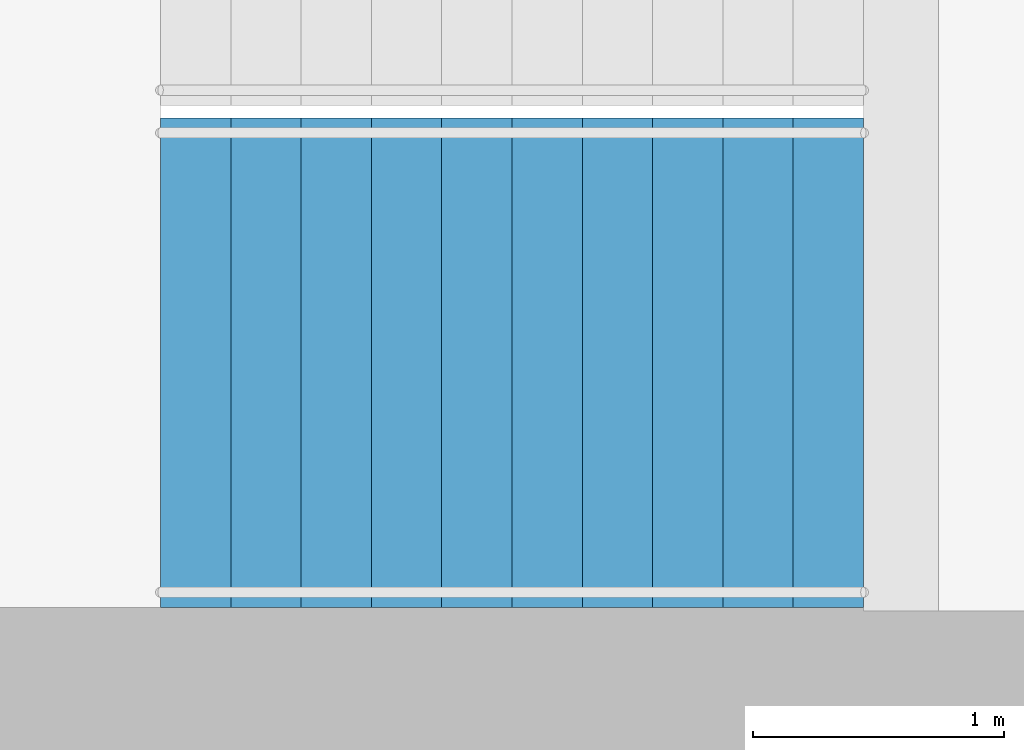
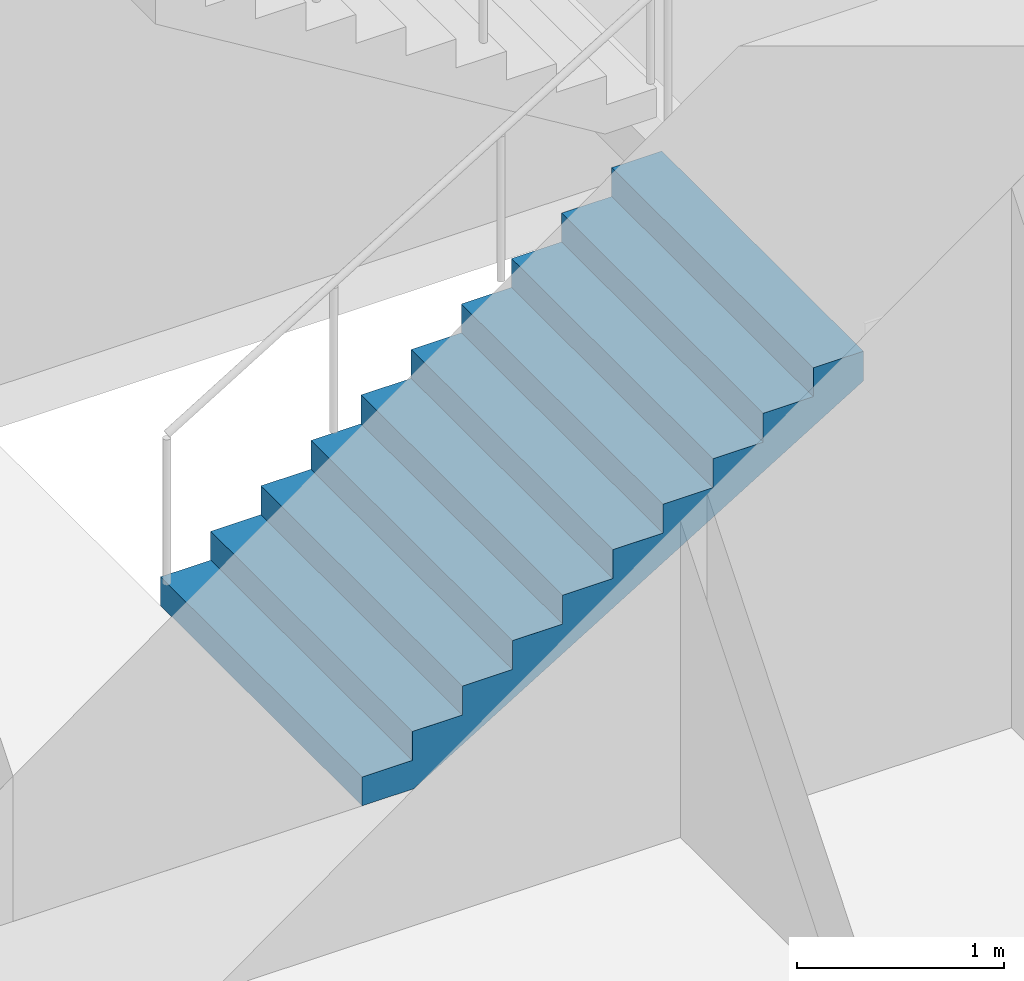
# One storey, part 20 of 24: 1 stair flight, 1 element without a shape of its own.
"""IFC4 building model written with IfcOpenShell, lengths in metres."""

from ifc_helpers import new_model, si_unit, direction, frame, origin, place, context, subcontext, project, spatial, triangles, material, type_object, element, aggregate, save


model = new_model("IFC4")

# Units and contexts
model_context = context("Model", 3, precision=1e-05, world=origin(), true_north=direction((0.0, 1.0)))
body_context = subcontext(model_context, "Body", "Model", "MODEL_VIEW")
ifc_project = project(units=[si_unit("LENGTHUNIT", "METRE"), si_unit("AREAUNIT", "SQUARE_METRE"), si_unit("VOLUMEUNIT", "CUBIC_METRE"), si_unit("PLANEANGLEUNIT", "RADIAN"), si_unit("MASSUNIT", "GRAM", prefix="KILO")], contexts=[model_context])

# Site, building, storey
site_placement = place(None, origin())
site = spatial("IfcSite", under=ifc_project, at=site_placement, CompositionType="ELEMENT")
building_placement = place(site_placement, origin())
building = spatial("IfcBuilding", under=site, at=building_placement, Name="Orbita Commons", CompositionType="ELEMENT")
storey_placement = place(building_placement, frame((0.0, 0.0, 27.699951171875)))
storey = spatial("IfcBuildingStorey", under=building, at=storey_placement, Name="L06", CompositionType="ELEMENT", Elevation=27.699951171875)

# Stair, stair flight
ifc_material_1 = material(Name="Precast concrete C40/50", Category="concrete")
stair_type = type_object("IfcStairType", Name="Exit stair S1 2 flights 11 risers 170", PredefinedType="HALF_TURN_STAIR", material=ifc_material_1)
stair_placement = place(storey_placement, origin())
stair = element("IfcStair", 1, at=stair_placement, inside=storey, type_object=stair_type, Name="Exit stair S1 L06", PredefinedType="HALF_TURN_STAIR")
ifc_material_2 = material(Name="Precast concrete C40/50", Category="concrete")
stair_flight_type = type_object("IfcStairFlightType", Name="Stair flight 11 risers 170 x 280", PredefinedType="STRAIGHT", material=ifc_material_2)
stair_flight_placement = place(storey_placement, frame((20.449951171875, 27.27490234375, 0.0), z_axis=(0.0, 0.0, 1.0), x_axis=(1.0, 0.0, 0.0)))
stair_flight = element("IfcStairFlight", 2, at=stair_flight_placement, type_object=stair_flight_type, Name="S1 flight 1", NumberOfRisers=11, NumberOfTreads=10, PredefinedType="STRAIGHT", RiserHeight=0.170454545, TreadLength=0.28, context=body_context, shape_type="Tessellation", body=[
    triangles([(0.0, 0.974976, 0.0), (0.0, 0.974976, 0.021307), (0.0, 0.81248, 0.021307), (0.0, 0.81248, 0.0), (0.0, 0.649984, 0.021307), (0.0, 0.649984, 0.0), (0.0, 0.487488, 0.021307), (0.0, 0.487488, 0.0), (0.0, 0.324992, 0.021307), (0.0, 0.324992, 0.0), (0.0, 0.162496, 0.021307), (0.0, 0.162496, 0.0), (0.0, 0.0, 0.021307), (0.0, 0.0, 0.0), (0.0, -0.162496, 0.021307), (0.0, -0.162496, 0.0), (0.0, -0.324992, 0.021307), (0.0, -0.324992, 0.0), (0.0, -0.487488, 0.021307), (0.0, -0.487488, 0.0), (0.0, -0.649984, 0.021307), (0.0, -0.649984, 0.0), (0.0, -0.81248, 0.021307), (0.0, -0.81248, 0.0), (0.0, -0.974976, 0.021307), (0.0, -0.974976, 0.0), (0.0, 0.974976, 0.042614), (0.0, 0.81248, 0.042614), (0.0, 0.649984, 0.042614), (0.0, 0.487488, 0.042614), (0.0, 0.324992, 0.042614), (0.0, 0.162496, 0.042614), (0.0, 0.0, 0.042614), (0.0, -0.162496, 0.042614), (0.0, -0.324992, 0.042614), (0.0, -0.487488, 0.042614), (0.0, -0.649984, 0.042614), (0.0, -0.81248, 0.042614), (0.0, -0.974976, 0.042614), (0.0, 0.974976, 0.06392), (0.0, 0.81248, 0.06392), (0.0, 0.649984, 0.06392), (0.0, 0.487488, 0.06392), (0.0, 0.324992, 0.06392), (0.0, 0.162496, 0.06392), (0.0, 0.0, 0.06392), (0.0, -0.162496, 0.06392), (0.0, -0.324992, 0.06392), (0.0, -0.487488, 0.06392), (0.0, -0.649984, 0.06392), (0.0, -0.81248, 0.06392), (0.0, -0.974976, 0.06392), (0.0, 0.974976, 0.085227), (0.0, 0.81248, 0.085227), (0.0, 0.649984, 0.085227), (0.0, 0.487488, 0.085227), (0.0, 0.324992, 0.085227), (0.0, 0.162496, 0.085227), (0.0, 0.0, 0.085227), (0.0, -0.162496, 0.085227), (0.0, -0.324992, 0.085227), (0.0, -0.487488, 0.085227), (0.0, -0.649984, 0.085227), (0.0, -0.81248, 0.085227), (0.0, -0.974976, 0.085227), (0.0, 0.974976, 0.106534), (0.0, 0.81248, 0.106534), (0.0, 0.649984, 0.106534), (0.0, 0.487488, 0.106534), (0.0, 0.324992, 0.106534), (0.0, 0.162496, 0.106534), (0.0, 0.0, 0.106534), (0.0, -0.162496, 0.106534), (0.0, -0.324992, 0.106534), (0.0, -0.487488, 0.106534), (0.0, -0.649984, 0.106534), (0.0, -0.81248, 0.106534), (0.0, -0.974976, 0.106534), (0.0, 0.974976, 0.127841), (0.0, 0.81248, 0.127841), (0.0, 0.649984, 0.127841), (0.0, 0.487488, 0.127841), (0.0, 0.324992, 0.127841), (0.0, 0.162496, 0.127841), (0.0, 0.0, 0.127841), (0.0, -0.162496, 0.127841), (0.0, -0.324992, 0.127841), (0.0, -0.487488, 0.127841), (0.0, -0.649984, 0.127841), (0.0, -0.81248, 0.127841), (0.0, -0.974976, 0.127841), (0.0, 0.974976, 0.149148), (0.0, 0.81248, 0.149148), (0.0, 0.649984, 0.149148), (0.0, 0.487488, 0.149148), (0.0, 0.324992, 0.149148), (0.0, 0.162496, 0.149148), (0.0, 0.0, 0.149148), (0.0, -0.162496, 0.149148), (0.0, -0.324992, 0.149148), (0.0, -0.487488, 0.149148), (0.0, -0.649984, 0.149148), (0.0, -0.81248, 0.149148), (0.0, -0.974976, 0.149148), (0.0, 0.974976, 0.170455), (0.0, 0.81248, 0.170455), (0.0, 0.649984, 0.170455), (0.0, 0.487488, 0.170455), (0.0, 0.324992, 0.170455), (0.0, 0.162496, 0.170455), (0.0, 0.0, 0.170455), (0.0, -0.162496, 0.170455), (0.0, -0.324992, 0.170455), (0.0, -0.487488, 0.170455), (0.0, -0.649984, 0.170455), (0.0, -0.81248, 0.170455), (0.0, -0.974976, 0.170455), (0.28, 0.974976, 0.170455), (0.28, 0.81248, 0.170455), (0.28, 0.649984, 0.170455), (0.28, 0.487488, 0.170455), (0.28, 0.324992, 0.170455), (0.28, 0.162496, 0.170455), (0.28, 0.0, 0.170455), (0.28, -0.162496, 0.170455), (0.28, -0.324992, 0.170455), (0.28, -0.487488, 0.170455), (0.28, -0.649984, 0.170455), (0.28, -0.81248, 0.170455), (0.28, -0.974976, 0.170455), (0.28, 0.974976, 0.340909), (0.28, 0.81248, 0.340909), (0.28, 0.649984, 0.340909), (0.28, 0.487488, 0.340909), (0.28, 0.324992, 0.340909), (0.28, 0.162496, 0.340909), (0.28, 0.0, 0.340909), (0.28, -0.162496, 0.340909), (0.28, -0.324992, 0.340909), (0.28, -0.487488, 0.340909), (0.28, -0.649984, 0.340909), (0.28, -0.81248, 0.340909), (0.28, -0.974976, 0.340909), (0.56, 0.974976, 0.340909), (0.56, 0.81248, 0.340909), (0.56, 0.649984, 0.340909), (0.56, 0.487488, 0.340909), (0.56, 0.324992, 0.340909), (0.56, 0.162496, 0.340909), (0.56, 0.0, 0.340909), (0.56, -0.162496, 0.340909), (0.56, -0.324992, 0.340909), (0.56, -0.487488, 0.340909), (0.56, -0.649984, 0.340909), (0.56, -0.81248, 0.340909), (0.56, -0.974976, 0.340909), (0.56, 0.974976, 0.511364), (0.56, 0.81248, 0.511364), (0.56, 0.649984, 0.511364), (0.56, 0.487488, 0.511364), (0.56, 0.324992, 0.511364), (0.56, 0.162496, 0.511364), (0.56, 0.0, 0.511364), (0.56, -0.162496, 0.511364), (0.56, -0.324992, 0.511364), (0.56, -0.487488, 0.511364), (0.56, -0.649984, 0.511364), (0.56, -0.81248, 0.511364), (0.56, -0.974976, 0.511364), (0.84, 0.974976, 0.511364), (0.84, 0.81248, 0.511364), (0.84, 0.649984, 0.511364), (0.84, 0.487488, 0.511364), (0.84, 0.324992, 0.511364), (0.84, 0.162496, 0.511364), (0.84, 0.0, 0.511364), (0.84, -0.162496, 0.511364), (0.84, -0.324992, 0.511364), (0.84, -0.487488, 0.511364), (0.84, -0.649984, 0.511364), (0.84, -0.81248, 0.511364), (0.84, -0.974976, 0.511364), (0.84, 0.974976, 0.681818), (0.84, 0.81248, 0.681818), (0.84, 0.649984, 0.681818), (0.84, 0.487488, 0.681818), (0.84, 0.324992, 0.681818), (0.84, 0.162496, 0.681818), (0.84, 0.0, 0.681818), (0.84, -0.162496, 0.681818), (0.84, -0.324992, 0.681818), (0.84, -0.487488, 0.681818), (0.84, -0.649984, 0.681818), (0.84, -0.81248, 0.681818), (0.84, -0.974976, 0.681818), (1.12, 0.974976, 0.681818), (1.12, 0.81248, 0.681818), (1.12, 0.649984, 0.681818), (1.12, 0.487488, 0.681818), (1.12, 0.324992, 0.681818), (1.12, 0.162496, 0.681818), (1.12, 0.0, 0.681818), (1.12, -0.162496, 0.681818), (1.12, -0.324992, 0.681818), (1.12, -0.487488, 0.681818), (1.12, -0.649984, 0.681818), (1.12, -0.81248, 0.681818), (1.12, -0.974976, 0.681818), (1.12, 0.974976, 0.852273), (1.12, 0.81248, 0.852273), (1.12, 0.649984, 0.852273), (1.12, 0.487488, 0.852273), (1.12, 0.324992, 0.852273), (1.12, 0.162496, 0.852273), (1.12, 0.0, 0.852273), (1.12, -0.162496, 0.852273), (1.12, -0.324992, 0.852273), (1.12, -0.487488, 0.852273), (1.12, -0.649984, 0.852273), (1.12, -0.81248, 0.852273), (1.12, -0.974976, 0.852273), (1.4, 0.974976, 0.852273), (1.4, 0.81248, 0.852273), (1.4, 0.649984, 0.852273), (1.4, 0.487488, 0.852273), (1.4, 0.324992, 0.852273), (1.4, 0.162496, 0.852273), (1.4, 0.0, 0.852273), (1.4, -0.162496, 0.852273), (1.4, -0.324992, 0.852273), (1.4, -0.487488, 0.852273), (1.4, -0.649984, 0.852273), (1.4, -0.81248, 0.852273), (1.4, -0.974976, 0.852273), (1.4, 0.974976, 1.022727), (1.4, 0.81248, 1.022727), (1.4, 0.649984, 1.022727), (1.4, 0.487488, 1.022727), (1.4, 0.324992, 1.022727), (1.4, 0.162496, 1.022727), (1.4, 0.0, 1.022727), (1.4, -0.162496, 1.022727), (1.4, -0.324992, 1.022727), (1.4, -0.487488, 1.022727), (1.4, -0.649984, 1.022727), (1.4, -0.81248, 1.022727), (1.4, -0.974976, 1.022727), (1.68, 0.974976, 1.022727), (1.68, 0.81248, 1.022727), (1.68, 0.649984, 1.022727), (1.68, 0.487488, 1.022727), (1.68, 0.324992, 1.022727), (1.68, 0.162496, 1.022727), (1.68, 0.0, 1.022727), (1.68, -0.162496, 1.022727), (1.68, -0.324992, 1.022727), (1.68, -0.487488, 1.022727), (1.68, -0.649984, 1.022727), (1.68, -0.81248, 1.022727), (1.68, -0.974976, 1.022727), (1.68, 0.974976, 1.193182), (1.68, 0.81248, 1.193182), (1.68, 0.649984, 1.193182), (1.68, 0.487488, 1.193182), (1.68, 0.324992, 1.193182), (1.68, 0.162496, 1.193182), (1.68, 0.0, 1.193182), (1.68, -0.162496, 1.193182), (1.68, -0.324992, 1.193182), (1.68, -0.487488, 1.193182), (1.68, -0.649984, 1.193182), (1.68, -0.81248, 1.193182), (1.68, -0.974976, 1.193182), (1.96, 0.974976, 1.193182), (1.96, 0.81248, 1.193182), (1.96, 0.649984, 1.193182), (1.96, 0.487488, 1.193182), (1.96, 0.324992, 1.193182), (1.96, 0.162496, 1.193182), (1.96, 0.0, 1.193182), (1.96, -0.162496, 1.193182), (1.96, -0.324992, 1.193182), (1.96, -0.487488, 1.193182), (1.96, -0.649984, 1.193182), (1.96, -0.81248, 1.193182), (1.96, -0.974976, 1.193182), (1.96, 0.974976, 1.363636), (1.96, 0.81248, 1.363636), (1.96, 0.649984, 1.363636), (1.96, 0.487488, 1.363636), (1.96, 0.324992, 1.363636), (1.96, 0.162496, 1.363636), (1.96, 0.0, 1.363636), (1.96, -0.162496, 1.363636), (1.96, -0.324992, 1.363636), (1.96, -0.487488, 1.363636), (1.96, -0.649984, 1.363636), (1.96, -0.81248, 1.363636), (1.96, -0.974976, 1.363636), (2.24, 0.974976, 1.363636), (2.24, 0.81248, 1.363636), (2.24, 0.649984, 1.363636), (2.24, 0.487488, 1.363636), (2.24, 0.324992, 1.363636), (2.24, 0.162496, 1.363636), (2.24, 0.0, 1.363636), (2.24, -0.162496, 1.363636), (2.24, -0.324992, 1.363636), (2.24, -0.487488, 1.363636), (2.24, -0.649984, 1.363636), (2.24, -0.81248, 1.363636), (2.24, -0.974976, 1.363636), (2.24, 0.974976, 1.534091), (2.24, 0.81248, 1.534091), (2.24, 0.649984, 1.534091), (2.24, 0.487488, 1.534091), (2.24, 0.324992, 1.534091), (2.24, 0.162496, 1.534091), (2.24, 0.0, 1.534091), (2.24, -0.162496, 1.534091), (2.24, -0.324992, 1.534091), (2.24, -0.487488, 1.534091), (2.24, -0.649984, 1.534091), (2.24, -0.81248, 1.534091), (2.24, -0.974976, 1.534091), (2.52, 0.974976, 1.534091), (2.52, 0.81248, 1.534091), (2.52, 0.649984, 1.534091), (2.52, 0.487488, 1.534091), (2.52, 0.324992, 1.534091), (2.52, 0.162496, 1.534091), (2.52, 0.0, 1.534091), (2.52, -0.162496, 1.534091), (2.52, -0.324992, 1.534091), (2.52, -0.487488, 1.534091), (2.52, -0.649984, 1.534091), (2.52, -0.81248, 1.534091), (2.52, -0.974976, 1.534091), (2.52, 0.974976, 1.704545), (2.52, 0.81248, 1.704545), (2.52, 0.649984, 1.704545), (2.52, 0.487488, 1.704545), (2.52, 0.324992, 1.704545), (2.52, 0.162496, 1.704545), (2.52, 0.0, 1.704545), (2.52, -0.162496, 1.704545), (2.52, -0.324992, 1.704545), (2.52, -0.487488, 1.704545), (2.52, -0.649984, 1.704545), (2.52, -0.81248, 1.704545), (2.52, -0.974976, 1.704545), (2.8, 0.974976, 1.704545), (2.8, 0.81248, 1.704545), (2.8, 0.649984, 1.704545), (2.8, 0.487488, 1.704545), (2.8, 0.324992, 1.704545), (2.8, 0.162496, 1.704545), (2.8, 0.0, 1.704545), (2.8, -0.162496, 1.704545), (2.8, -0.324992, 1.704545), (2.8, -0.487488, 1.704545), (2.8, -0.649984, 1.704545), (2.8, -0.81248, 1.704545), (2.8, -0.974976, 1.704545), (2.8, 0.974976, 1.682609), (2.8, 0.81248, 1.682609), (2.8, 0.649984, 1.682609), (2.8, 0.487488, 1.682609), (2.8, 0.324992, 1.682609), (2.8, 0.162496, 1.682609), (2.8, 0.0, 1.682609), (2.8, -0.162496, 1.682609), (2.8, -0.324992, 1.682609), (2.8, -0.487488, 1.682609), (2.8, -0.649984, 1.682609), (2.8, -0.81248, 1.682609), (2.8, -0.974976, 1.682609), (2.8, 0.974976, 1.660672), (2.8, 0.81248, 1.660672), (2.8, 0.649984, 1.660672), (2.8, 0.487488, 1.660672), (2.8, 0.324992, 1.660672), (2.8, 0.162496, 1.660672), (2.8, 0.0, 1.660672), (2.8, -0.162496, 1.660672), (2.8, -0.324992, 1.660672), (2.8, -0.487488, 1.660672), (2.8, -0.649984, 1.660672), (2.8, -0.81248, 1.660672), (2.8, -0.974976, 1.660672), (2.8, 0.974976, 1.638735), (2.8, 0.81248, 1.638735), (2.8, 0.649984, 1.638735), (2.8, 0.487488, 1.638735), (2.8, 0.324992, 1.638735), (2.8, 0.162496, 1.638735), (2.8, 0.0, 1.638735), (2.8, -0.162496, 1.638735), (2.8, -0.324992, 1.638735), (2.8, -0.487488, 1.638735), (2.8, -0.649984, 1.638735), (2.8, -0.81248, 1.638735), (2.8, -0.974976, 1.638735), (2.8, 0.974976, 1.616798), (2.8, 0.81248, 1.616798), (2.8, 0.649984, 1.616798), (2.8, 0.487488, 1.616798), (2.8, 0.324992, 1.616798), (2.8, 0.162496, 1.616798), (2.8, 0.0, 1.616798), (2.8, -0.162496, 1.616798), (2.8, -0.324992, 1.616798), (2.8, -0.487488, 1.616798), (2.8, -0.649984, 1.616798), (2.8, -0.81248, 1.616798), (2.8, -0.974976, 1.616798), (2.8, 0.974976, 1.594861), (2.8, 0.81248, 1.594861), (2.8, 0.649984, 1.594861), (2.8, 0.487488, 1.594861), (2.8, 0.324992, 1.594861), (2.8, 0.162496, 1.594861), (2.8, 0.0, 1.594861), (2.8, -0.162496, 1.594861), (2.8, -0.324992, 1.594861), (2.8, -0.487488, 1.594861), (2.8, -0.649984, 1.594861), (2.8, -0.81248, 1.594861), (2.8, -0.974976, 1.594861), (2.8, 0.974976, 1.572925), (2.8, 0.81248, 1.572925), (2.8, 0.649984, 1.572925), (2.8, 0.487488, 1.572925), (2.8, 0.324992, 1.572925), (2.8, 0.162496, 1.572925), (2.8, 0.0, 1.572925), (2.8, -0.162496, 1.572925), (2.8, -0.324992, 1.572925), (2.8, -0.487488, 1.572925), (2.8, -0.649984, 1.572925), (2.8, -0.81248, 1.572925), (2.8, -0.974976, 1.572925), (2.8, 0.974976, 1.550988), (2.8, 0.81248, 1.550988), (2.8, 0.649984, 1.550988), (2.8, 0.487488, 1.550988), (2.8, 0.324992, 1.550988), (2.8, 0.162496, 1.550988), (2.8, 0.0, 1.550988), (2.8, -0.162496, 1.550988), (2.8, -0.324992, 1.550988), (2.8, -0.487488, 1.550988), (2.8, -0.649984, 1.550988), (2.8, -0.81248, 1.550988), (2.8, -0.974976, 1.550988), (2.8, 0.974976, 1.529051), (2.8, 0.81248, 1.529051), (2.8, 0.649984, 1.529051), (2.8, 0.487488, 1.529051), (2.8, 0.324992, 1.529051), (2.8, 0.162496, 1.529051), (2.8, 0.0, 1.529051), (2.8, -0.162496, 1.529051), (2.8, -0.324992, 1.529051), (2.8, -0.487488, 1.529051), (2.8, -0.649984, 1.529051), (2.8, -0.81248, 1.529051), (2.8, -0.974976, 1.529051), (0.288279, 0.974976, 0.0), (0.288279, 0.81248, 0.0), (0.288279, 0.649984, 0.0), (0.288279, 0.487488, 0.0), (0.288279, 0.324992, 0.0), (0.288279, 0.162496, 0.0), (0.288279, 0.0, 0.0), (0.288279, -0.162496, 0.0), (0.288279, -0.324992, 0.0), (0.288279, -0.487488, 0.0), (0.288279, -0.649984, 0.0), (0.288279, -0.81248, 0.0), (0.288279, -0.974976, 0.0)], [[3, 2, 1], [4, 3, 1], [5, 3, 4], [6, 5, 4], [7, 5, 6], [8, 7, 6], [9, 7, 8], [10, 9, 8], [11, 9, 10], [12, 11, 10], [13, 11, 12], [14, 13, 12], [15, 13, 14], [16, 15, 14], [17, 15, 16], [18, 17, 16], [19, 17, 18], [20, 19, 18], [21, 19, 20], [22, 21, 20], [23, 21, 22], [24, 23, 22], [25, 23, 24], [26, 25, 24], [28, 27, 2], [3, 28, 2], [29, 28, 3], [5, 29, 3], [30, 29, 5], [7, 30, 5], [31, 30, 7], [9, 31, 7], [32, 31, 9], [11, 32, 9], [33, 32, 11], [13, 33, 11], [34, 33, 13], [15, 34, 13], [35, 34, 15], [17, 35, 15], [36, 35, 17], [19, 36, 17], [37, 36, 19], [21, 37, 19], [38, 37, 21], [23, 38, 21], [39, 38, 23], [25, 39, 23], [41, 40, 27], [28, 41, 27], [42, 41, 28], [29, 42, 28], [43, 42, 29], [30, 43, 29], [44, 43, 30], [31, 44, 30], [45, 44, 31], [32, 45, 31], [46, 45, 32], [33, 46, 32], [47, 46, 33], [34, 47, 33], [48, 47, 34], [35, 48, 34], [49, 48, 35], [36, 49, 35], [50, 49, 36], [37, 50, 36], [51, 50, 37], [38, 51, 37], [52, 51, 38], [39, 52, 38], [54, 53, 40], [41, 54, 40], [55, 54, 41], [42, 55, 41], [56, 55, 42], [43, 56, 42], [57, 56, 43], [44, 57, 43], [58, 57, 44], [45, 58, 44], [59, 58, 45], [46, 59, 45], [60, 59, 46], [47, 60, 46], [61, 60, 47], [48, 61, 47], [62, 61, 48], [49, 62, 48], [63, 62, 49], [50, 63, 49], [64, 63, 50], [51, 64, 50], [65, 64, 51], [52, 65, 51], [67, 66, 53], [54, 67, 53], [68, 67, 54], [55, 68, 54], [69, 68, 55], [56, 69, 55], [70, 69, 56], [57, 70, 56], [71, 70, 57], [58, 71, 57], [72, 71, 58], [59, 72, 58], [73, 72, 59], [60, 73, 59], [74, 73, 60], [61, 74, 60], [75, 74, 61], [62, 75, 61], [76, 75, 62], [63, 76, 62], [77, 76, 63], [64, 77, 63], [78, 77, 64], [65, 78, 64], [80, 79, 66], [67, 80, 66], [81, 80, 67], [68, 81, 67], [82, 81, 68], [69, 82, 68], [83, 82, 69], [70, 83, 69], [84, 83, 70], [71, 84, 70], [85, 84, 71], [72, 85, 71], [86, 85, 72], [73, 86, 72], [87, 86, 73], [74, 87, 73], [88, 87, 74], [75, 88, 74], [89, 88, 75], [76, 89, 75], [90, 89, 76], [77, 90, 76], [91, 90, 77], [78, 91, 77], [93, 92, 79], [80, 93, 79], [94, 93, 80], [81, 94, 80], [95, 94, 81], [82, 95, 81], [96, 95, 82], [83, 96, 82], [97, 96, 83], [84, 97, 83], [98, 97, 84], [85, 98, 84], [99, 98, 85], [86, 99, 85], [100, 99, 86], [87, 100, 86], [101, 100, 87], [88, 101, 87], [102, 101, 88], [89, 102, 88], [103, 102, 89], [90, 103, 89], [104, 103, 90], [91, 104, 90], [106, 105, 92], [93, 106, 92], [107, 106, 93], [94, 107, 93], [108, 107, 94], [95, 108, 94], [109, 108, 95], [96, 109, 95], [110, 109, 96], [97, 110, 96], [111, 110, 97], [98, 111, 97], [112, 111, 98], [99, 112, 98], [113, 112, 99], [100, 113, 99], [114, 113, 100], [101, 114, 100], [115, 114, 101], [102, 115, 101], [116, 115, 102], [103, 116, 102], [117, 116, 103], [104, 117, 103], [119, 118, 105], [106, 119, 105], [120, 119, 106], [107, 120, 106], [121, 120, 107], [108, 121, 107], [122, 121, 108], [109, 122, 108], [123, 122, 109], [110, 123, 109], [124, 123, 110], [111, 124, 110], [125, 124, 111], [112, 125, 111], [126, 125, 112], [113, 126, 112], [127, 126, 113], [114, 127, 113], [128, 127, 114], [115, 128, 114], [129, 128, 115], [116, 129, 115], [130, 129, 116], [117, 130, 116], [132, 131, 118], [119, 132, 118], [133, 132, 119], [120, 133, 119], [134, 133, 120], [121, 134, 120], [135, 134, 121], [122, 135, 121], [136, 135, 122], [123, 136, 122], [137, 136, 123], [124, 137, 123], [138, 137, 124], [125, 138, 124], [139, 138, 125], [126, 139, 125], [140, 139, 126], [127, 140, 126], [141, 140, 127], [128, 141, 127], [142, 141, 128], [129, 142, 128], [143, 142, 129], [130, 143, 129], [145, 144, 131], [132, 145, 131], [146, 145, 132], [133, 146, 132], [147, 146, 133], [134, 147, 133], [148, 147, 134], [135, 148, 134], [149, 148, 135], [136, 149, 135], [150, 149, 136], [137, 150, 136], [151, 150, 137], [138, 151, 137], [152, 151, 138], [139, 152, 138], [153, 152, 139], [140, 153, 139], [154, 153, 140], [141, 154, 140], [155, 154, 141], [142, 155, 141], [156, 155, 142], [143, 156, 142], [158, 157, 144], [145, 158, 144], [159, 158, 145], [146, 159, 145], [160, 159, 146], [147, 160, 146], [161, 160, 147], [148, 161, 147], [162, 161, 148], [149, 162, 148], [163, 162, 149], [150, 163, 149], [164, 163, 150], [151, 164, 150], [165, 164, 151], [152, 165, 151], [166, 165, 152], [153, 166, 152], [167, 166, 153], [154, 167, 153], [168, 167, 154], [155, 168, 154], [169, 168, 155], [156, 169, 155], [171, 170, 157], [158, 171, 157], [172, 171, 158], [159, 172, 158], [173, 172, 159], [160, 173, 159], [174, 173, 160], [161, 174, 160], [175, 174, 161], [162, 175, 161], [176, 175, 162], [163, 176, 162], [177, 176, 163], [164, 177, 163], [178, 177, 164], [165, 178, 164], [179, 178, 165], [166, 179, 165], [180, 179, 166], [167, 180, 166], [181, 180, 167], [168, 181, 167], [182, 181, 168], [169, 182, 168], [184, 183, 170], [171, 184, 170], [185, 184, 171], [172, 185, 171], [186, 185, 172], [173, 186, 172], [187, 186, 173], [174, 187, 173], [188, 187, 174], [175, 188, 174], [189, 188, 175], [176, 189, 175], [190, 189, 176], [177, 190, 176], [191, 190, 177], [178, 191, 177], [192, 191, 178], [179, 192, 178], [193, 192, 179], [180, 193, 179], [194, 193, 180], [181, 194, 180], [195, 194, 181], [182, 195, 181], [197, 196, 183], [184, 197, 183], [198, 197, 184], [185, 198, 184], [199, 198, 185], [186, 199, 185], [200, 199, 186], [187, 200, 186], [201, 200, 187], [188, 201, 187], [202, 201, 188], [189, 202, 188], [203, 202, 189], [190, 203, 189], [204, 203, 190], [191, 204, 190], [205, 204, 191], [192, 205, 191], [206, 205, 192], [193, 206, 192], [207, 206, 193], [194, 207, 193], [208, 207, 194], [195, 208, 194], [210, 209, 196], [197, 210, 196], [211, 210, 197], [198, 211, 197], [212, 211, 198], [199, 212, 198], [213, 212, 199], [200, 213, 199], [214, 213, 200], [201, 214, 200], [215, 214, 201], [202, 215, 201], [216, 215, 202], [203, 216, 202], [217, 216, 203], [204, 217, 203], [218, 217, 204], [205, 218, 204], [219, 218, 205], [206, 219, 205], [220, 219, 206], [207, 220, 206], [221, 220, 207], [208, 221, 207], [223, 222, 209], [210, 223, 209], [224, 223, 210], [211, 224, 210], [225, 224, 211], [212, 225, 211], [226, 225, 212], [213, 226, 212], [227, 226, 213], [214, 227, 213], [228, 227, 214], [215, 228, 214], [229, 228, 215], [216, 229, 215], [230, 229, 216], [217, 230, 216], [231, 230, 217], [218, 231, 217], [232, 231, 218], [219, 232, 218], [233, 232, 219], [220, 233, 219], [234, 233, 220], [221, 234, 220], [236, 235, 222], [223, 236, 222], [237, 236, 223], [224, 237, 223], [238, 237, 224], [225, 238, 224], [239, 238, 225], [226, 239, 225], [240, 239, 226], [227, 240, 226], [241, 240, 227], [228, 241, 227], [242, 241, 228], [229, 242, 228], [243, 242, 229], [230, 243, 229], [244, 243, 230], [231, 244, 230], [245, 244, 231], [232, 245, 231], [246, 245, 232], [233, 246, 232], [247, 246, 233], [234, 247, 233], [249, 248, 235], [236, 249, 235], [250, 249, 236], [237, 250, 236], [251, 250, 237], [238, 251, 237], [252, 251, 238], [239, 252, 238], [253, 252, 239], [240, 253, 239], [254, 253, 240], [241, 254, 240], [255, 254, 241], [242, 255, 241], [256, 255, 242], [243, 256, 242], [257, 256, 243], [244, 257, 243], [258, 257, 244], [245, 258, 244], [259, 258, 245], [246, 259, 245], [260, 259, 246], [247, 260, 246], [262, 261, 248], [249, 262, 248], [263, 262, 249], [250, 263, 249], [264, 263, 250], [251, 264, 250], [265, 264, 251], [252, 265, 251], [266, 265, 252], [253, 266, 252], [267, 266, 253], [254, 267, 253], [268, 267, 254], [255, 268, 254], [269, 268, 255], [256, 269, 255], [270, 269, 256], [257, 270, 256], [271, 270, 257], [258, 271, 257], [272, 271, 258], [259, 272, 258], [273, 272, 259], [260, 273, 259], [275, 274, 261], [262, 275, 261], [276, 275, 262], [263, 276, 262], [277, 276, 263], [264, 277, 263], [278, 277, 264], [265, 278, 264], [279, 278, 265], [266, 279, 265], [280, 279, 266], [267, 280, 266], [281, 280, 267], [268, 281, 267], [282, 281, 268], [269, 282, 268], [283, 282, 269], [270, 283, 269], [284, 283, 270], [271, 284, 270], [285, 284, 271], [272, 285, 271], [286, 285, 272], [273, 286, 272], [288, 287, 274], [275, 288, 274], [289, 288, 275], [276, 289, 275], [290, 289, 276], [277, 290, 276], [291, 290, 277], [278, 291, 277], [292, 291, 278], [279, 292, 278], [293, 292, 279], [280, 293, 279], [294, 293, 280], [281, 294, 280], [295, 294, 281], [282, 295, 281], [296, 295, 282], [283, 296, 282], [297, 296, 283], [284, 297, 283], [298, 297, 284], [285, 298, 284], [299, 298, 285], [286, 299, 285], [301, 300, 287], [288, 301, 287], [302, 301, 288], [289, 302, 288], [303, 302, 289], [290, 303, 289], [304, 303, 290], [291, 304, 290], [305, 304, 291], [292, 305, 291], [306, 305, 292], [293, 306, 292], [307, 306, 293], [294, 307, 293], [308, 307, 294], [295, 308, 294], [309, 308, 295], [296, 309, 295], [310, 309, 296], [297, 310, 296], [311, 310, 297], [298, 311, 297], [312, 311, 298], [299, 312, 298], [314, 313, 300], [301, 314, 300], [315, 314, 301], [302, 315, 301], [316, 315, 302], [303, 316, 302], [317, 316, 303], [304, 317, 303], [318, 317, 304], [305, 318, 304], [319, 318, 305], [306, 319, 305], [320, 319, 306], [307, 320, 306], [321, 320, 307], [308, 321, 307], [322, 321, 308], [309, 322, 308], [323, 322, 309], [310, 323, 309], [324, 323, 310], [311, 324, 310], [325, 324, 311], [312, 325, 311], [327, 326, 313], [314, 327, 313], [328, 327, 314], [315, 328, 314], [329, 328, 315], [316, 329, 315], [330, 329, 316], [317, 330, 316], [331, 330, 317], [318, 331, 317], [332, 331, 318], [319, 332, 318], [333, 332, 319], [320, 333, 319], [334, 333, 320], [321, 334, 320], [335, 334, 321], [322, 335, 321], [336, 335, 322], [323, 336, 322], [337, 336, 323], [324, 337, 323], [338, 337, 324], [325, 338, 324], [340, 339, 326], [327, 340, 326], [341, 340, 327], [328, 341, 327], [342, 341, 328], [329, 342, 328], [343, 342, 329], [330, 343, 329], [344, 343, 330], [331, 344, 330], [345, 344, 331], [332, 345, 331], [346, 345, 332], [333, 346, 332], [347, 346, 333], [334, 347, 333], [348, 347, 334], [335, 348, 334], [349, 348, 335], [336, 349, 335], [350, 349, 336], [337, 350, 336], [351, 350, 337], [338, 351, 337], [353, 352, 339], [340, 353, 339], [354, 353, 340], [341, 354, 340], [355, 354, 341], [342, 355, 341], [356, 355, 342], [343, 356, 342], [357, 356, 343], [344, 357, 343], [358, 357, 344], [345, 358, 344], [359, 358, 345], [346, 359, 345], [360, 359, 346], [347, 360, 346], [361, 360, 347], [348, 361, 347], [362, 361, 348], [349, 362, 348], [363, 362, 349], [350, 363, 349], [364, 363, 350], [351, 364, 350], [366, 365, 352], [353, 366, 352], [367, 366, 353], [354, 367, 353], [368, 367, 354], [355, 368, 354], [369, 368, 355], [356, 369, 355], [370, 369, 356], [357, 370, 356], [371, 370, 357], [358, 371, 357], [372, 371, 358], [359, 372, 358], [373, 372, 359], [360, 373, 359], [374, 373, 360], [361, 374, 360], [375, 374, 361], [362, 375, 361], [376, 375, 362], [363, 376, 362], [377, 376, 363], [364, 377, 363], [379, 378, 365], [366, 379, 365], [380, 379, 366], [367, 380, 366], [381, 380, 367], [368, 381, 367], [382, 381, 368], [369, 382, 368], [383, 382, 369], [370, 383, 369], [384, 383, 370], [371, 384, 370], [385, 384, 371], [372, 385, 371], [386, 385, 372], [373, 386, 372], [387, 386, 373], [374, 387, 373], [388, 387, 374], [375, 388, 374], [389, 388, 375], [376, 389, 375], [390, 389, 376], [377, 390, 376], [392, 391, 378], [379, 392, 378], [393, 392, 379], [380, 393, 379], [394, 393, 380], [381, 394, 380], [395, 394, 381], [382, 395, 381], [396, 395, 382], [383, 396, 382], [397, 396, 383], [384, 397, 383], [398, 397, 384], [385, 398, 384], [399, 398, 385], [386, 399, 385], [400, 399, 386], [387, 400, 386], [401, 400, 387], [388, 401, 387], [402, 401, 388], [389, 402, 388], [403, 402, 389], [390, 403, 389], [405, 404, 391], [392, 405, 391], [406, 405, 392], [393, 406, 392], [407, 406, 393], [394, 407, 393], [408, 407, 394], [395, 408, 394], [409, 408, 395], [396, 409, 395], [410, 409, 396], [397, 410, 396], [411, 410, 397], [398, 411, 397], [412, 411, 398], [399, 412, 398], [413, 412, 399], [400, 413, 399], [414, 413, 400], [401, 414, 400], [415, 414, 401], [402, 415, 401], [416, 415, 402], [403, 416, 402], [418, 417, 404], [405, 418, 404], [419, 418, 405], [406, 419, 405], [420, 419, 406], [407, 420, 406], [421, 420, 407], [408, 421, 407], [422, 421, 408], [409, 422, 408], [423, 422, 409], [410, 423, 409], [424, 423, 410], [411, 424, 410], [425, 424, 411], [412, 425, 411], [426, 425, 412], [413, 426, 412], [427, 426, 413], [414, 427, 413], [428, 427, 414], [415, 428, 414], [429, 428, 415], [416, 429, 415], [431, 430, 417], [418, 431, 417], [432, 431, 418], [419, 432, 418], [433, 432, 419], [420, 433, 419], [434, 433, 420], [421, 434, 420], [435, 434, 421], [422, 435, 421], [436, 435, 422], [423, 436, 422], [437, 436, 423], [424, 437, 423], [438, 437, 424], [425, 438, 424], [439, 438, 425], [426, 439, 425], [440, 439, 426], [427, 440, 426], [441, 440, 427], [428, 441, 427], [442, 441, 428], [429, 442, 428], [444, 443, 430], [431, 444, 430], [445, 444, 431], [432, 445, 431], [446, 445, 432], [433, 446, 432], [447, 446, 433], [434, 447, 433], [448, 447, 434], [435, 448, 434], [449, 448, 435], [436, 449, 435], [450, 449, 436], [437, 450, 436], [451, 450, 437], [438, 451, 437], [452, 451, 438], [439, 452, 438], [453, 452, 439], [440, 453, 439], [454, 453, 440], [441, 454, 440], [455, 454, 441], [442, 455, 441], [457, 456, 443], [444, 457, 443], [458, 457, 444], [445, 458, 444], [459, 458, 445], [446, 459, 445], [460, 459, 446], [447, 460, 446], [461, 460, 447], [448, 461, 447], [462, 461, 448], [449, 462, 448], [463, 462, 449], [450, 463, 449], [464, 463, 450], [451, 464, 450], [465, 464, 451], [452, 465, 451], [466, 465, 452], [453, 466, 452], [467, 466, 453], [454, 467, 453], [468, 467, 454], [455, 468, 454], [470, 469, 456], [457, 470, 456], [471, 470, 457], [458, 471, 457], [472, 471, 458], [459, 472, 458], [473, 472, 459], [460, 473, 459], [474, 473, 460], [461, 474, 460], [475, 474, 461], [462, 475, 461], [476, 475, 462], [463, 476, 462], [477, 476, 463], [464, 477, 463], [478, 477, 464], [465, 478, 464], [479, 478, 465], [466, 479, 465], [480, 479, 466], [467, 480, 466], [481, 480, 467], [468, 481, 467], [4, 1, 469], [470, 4, 469], [6, 4, 470], [471, 6, 470], [8, 6, 471], [472, 8, 471], [10, 8, 472], [473, 10, 472], [12, 10, 473], [474, 12, 473], [14, 12, 474], [475, 14, 474], [16, 14, 475], [476, 16, 475], [18, 16, 476], [477, 18, 476], [20, 18, 477], [478, 20, 477], [22, 20, 478], [479, 22, 478], [24, 22, 479], [480, 24, 479], [26, 24, 480], [481, 26, 480], [456, 469, 1], [26, 481, 468], [443, 456, 1], [26, 468, 455], [430, 443, 1], [26, 455, 442], [417, 430, 1], [26, 442, 429], [404, 417, 1], [26, 429, 416], [391, 404, 1], [26, 416, 403], [378, 391, 1], [26, 403, 390], [365, 378, 1], [26, 390, 377], [339, 352, 365], [377, 364, 351], [326, 339, 365], [377, 351, 338], [300, 313, 326], [338, 325, 312], [300, 326, 365], [377, 338, 312], [274, 287, 300], [312, 299, 286], [274, 300, 365], [377, 312, 286], [248, 261, 274], [286, 273, 260], [248, 274, 365], [377, 286, 260], [222, 235, 248], [260, 247, 234], [222, 248, 365], [377, 260, 234], [196, 209, 222], [234, 221, 208], [196, 222, 365], [377, 234, 208], [170, 183, 196], [208, 195, 182], [170, 196, 365], [377, 208, 182], [144, 157, 170], [182, 169, 156], [144, 170, 365], [377, 182, 156], [118, 131, 144], [156, 143, 130], [118, 144, 365], [377, 156, 130], [118, 365, 1], [26, 377, 130], [92, 105, 118], [130, 117, 104], [79, 92, 118], [130, 104, 91], [66, 79, 118], [130, 91, 78], [53, 66, 118], [130, 78, 65], [40, 53, 118], [130, 65, 52], [27, 40, 118], [130, 52, 39], [2, 27, 118], [130, 39, 25], [1, 2, 118], [130, 25, 26]], closed=True),
])
aggregate(stair, [stair_flight])

save(model, "model.ifc")
